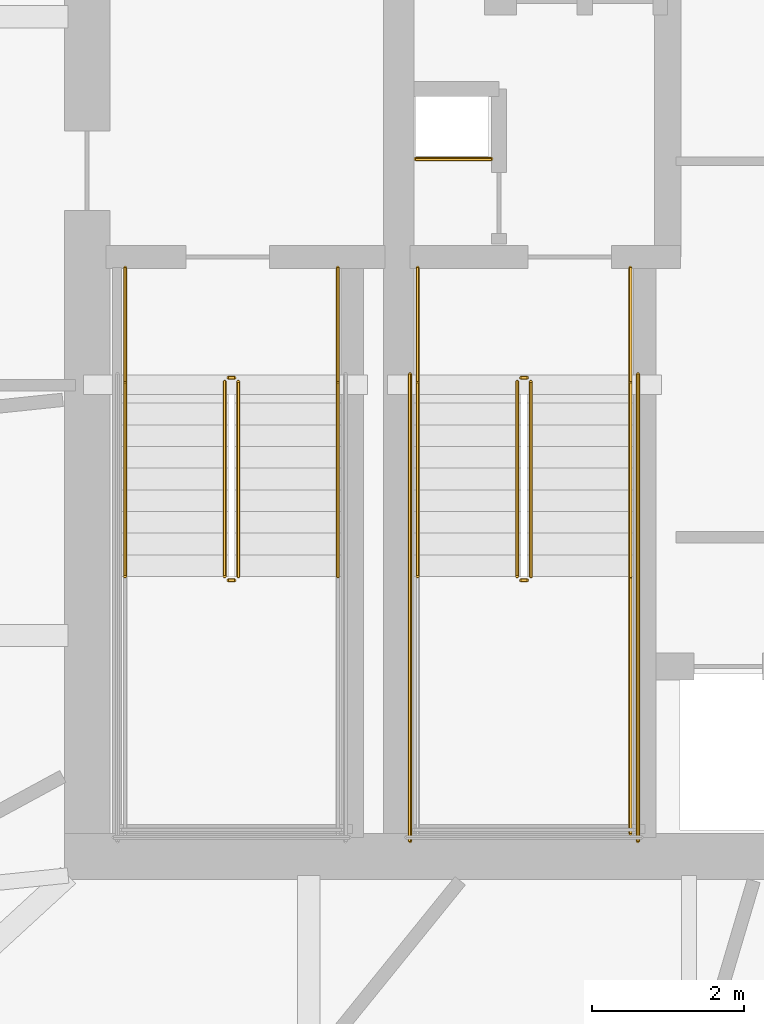
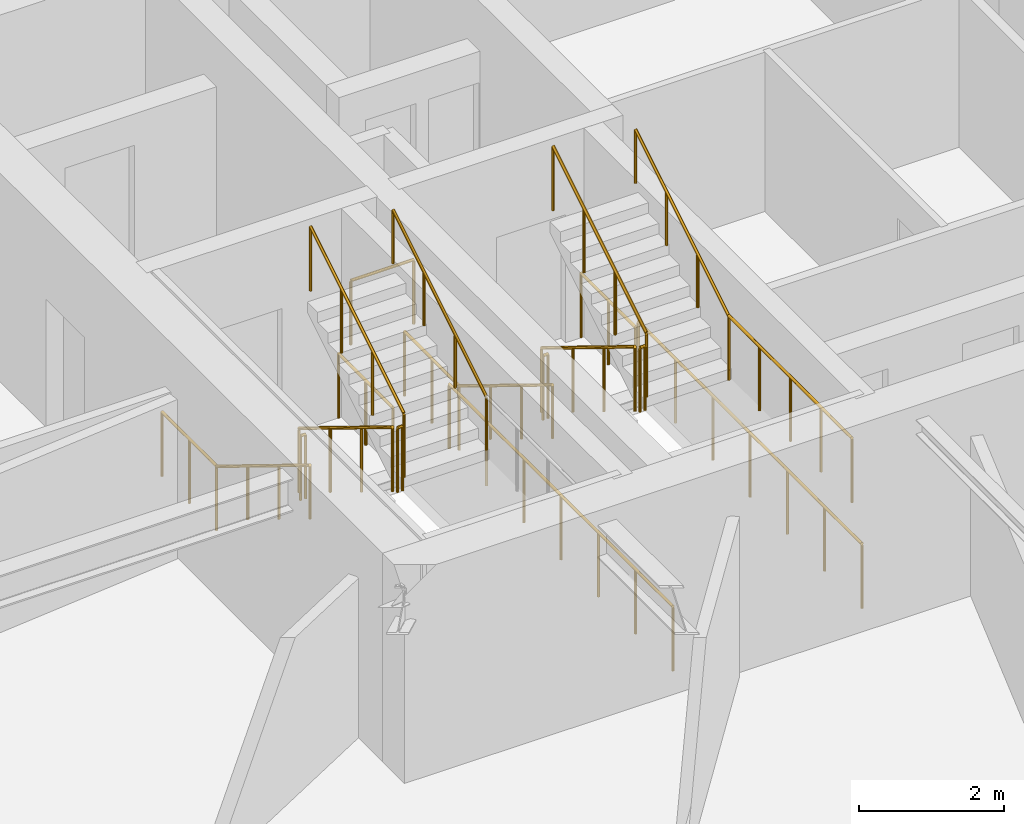
# One storey, part 24 of 26: 20 railings.
"""IFC4 building model written with IfcOpenShell, lengths in metres."""

from ifc_helpers import new_model, si_unit, direction, frame, origin, origin_2d, place, context, subcontext, project, spatial, circle, extrude, material, type_object, element, save


model = new_model("IFC4")

# Units and contexts
model_context = context("Model", 3, precision=1e-05, world=origin(), true_north=direction((0.0, 1.0)))
body_context = subcontext(model_context, "Body", "Model", "MODEL_VIEW")
ifc_project = project(units=[si_unit("LENGTHUNIT", "METRE"), si_unit("AREAUNIT", "SQUARE_METRE"), si_unit("VOLUMEUNIT", "CUBIC_METRE"), si_unit("PLANEANGLEUNIT", "RADIAN"), si_unit("MASSUNIT", "GRAM", prefix="KILO")], contexts=[model_context])

# Site, building, storey
site_placement = place(None, origin())
site = spatial("IfcSite", under=ifc_project, at=site_placement, CompositionType="ELEMENT")
building_placement = place(site_placement, origin())
building = spatial("IfcBuilding", under=site, at=building_placement, Name="Bramvorn Convention Spire", CompositionType="ELEMENT")
storey_placement = place(building_placement, frame((0.0, 0.0, 123.800048828125)))
storey = spatial("IfcBuildingStorey", under=building, at=storey_placement, Name="L30", CompositionType="ELEMENT", Elevation=123.800048828125)

# Railings
ifc_material_1 = material(Name="Painted Steel Balustrade & Guardrail", Category="steel")
railing_type_1 = type_object("IfcRailingType", Name="RL-STAIR-GUARD-1100", PredefinedType="GUARDRAIL", material=ifc_material_1)
railing_1_placement = place(storey_placement, frame((28.81005859375, 25.050048828125, 0.175048828125)))
element("IfcRailing", 1, at=railing_1_placement, inside=storey, type_object=railing_type_1, Name="L30 ST1 stair guard 1", PredefinedType="GUARDRAIL", context=body_context, shape_type="SweptSolid", body=[
    extrude(circle(Radius=0.02392578125, at=origin_2d()), frame((0.0, 0.0, 1.076171875), z_axis=(0.0, -0.852173129349, 0.523259933127), x_axis=(1.0, 0.0, 0.0)), (0.0, 0.0, 1.0), 3.009765625),
    extrude(circle(Radius=0.02099609375, at=origin_2d()), origin(), (0.0, 0.0, 1.0), 1.052001953125),
    extrude(circle(Radius=0.02099609375, at=origin_2d()), frame((0.0, -0.85498046875, 0.52490234375)), (0.0, 0.0, 1.0), 1.052001953125),
    extrude(circle(Radius=0.02099609375, at=origin_2d()), frame((0.0, -1.7099609375, 1.050048828125)), (0.0, 0.0, 1.0), 1.052001953125),
    extrude(circle(Radius=0.02099609375, at=origin_2d()), frame((0.0, -2.56494140625, 1.574951171875)), (0.0, 0.0, 1.0), 1.052001953125),
])
railing_2_placement = place(storey_placement, frame((28.860107421875, 22.43505859375, 1.75)))
element("IfcRailing", 2, at=railing_2_placement, inside=storey, type_object=railing_type_1, Name="L30 ST1 stair guard 2", PredefinedType="GUARDRAIL", context=body_context, shape_type="SweptSolid", body=[
    extrude(circle(Radius=0.02392578125, at=origin_2d()), frame((0.0, 0.0, 1.076171875), z_axis=(1.0, 0.0, 0.0), x_axis=(0.0, 1.0, 0.0)), (0.0, 0.0, 1.0), 0.079833984375),
    extrude(circle(Radius=0.02099609375, at=origin_2d()), origin(), (0.0, 0.0, 1.0), 1.052001953125),
    extrude(circle(Radius=0.02099609375, at=origin_2d()), frame((0.079833984375, 0.0, 0.0)), (0.0, 0.0, 1.0), 1.052001953125),
])
railing_3_placement = place(storey_placement, frame((28.989990234375, 22.485107421875, 1.925048828125)))
element("IfcRailing", 3, at=railing_3_placement, inside=storey, type_object=railing_type_1, Name="L30 ST1 stair guard 6", PredefinedType="GUARDRAIL", context=body_context, shape_type="SweptSolid", body=[
    extrude(circle(Radius=0.02392578125, at=origin_2d()), frame((0.0, 0.0, 1.076171875), z_axis=(0.0, 0.852173129349, 0.523259933127), x_axis=(-1.0, 0.0, 0.0)), (0.0, 0.0, 1.0), 3.009765625),
    extrude(circle(Radius=0.02099609375, at=origin_2d()), origin(), (0.0, 0.0, 1.0), 1.052001953125),
    extrude(circle(Radius=0.02099609375, at=origin_2d()), frame((0.0, 0.85498046875, 0.52490234375)), (0.0, 0.0, 1.0), 1.052001953125),
    extrude(circle(Radius=0.02099609375, at=origin_2d()), frame((0.0, 1.7099609375, 1.050048828125)), (0.0, 0.0, 1.0), 1.052001953125),
    extrude(circle(Radius=0.02099609375, at=origin_2d()), frame((0.0, 2.56494140625, 1.574951171875)), (0.0, 0.0, 1.0), 1.052001953125),
])
railing_4_placement = place(storey_placement, frame((28.860107421875, 25.10009765625, 0.0)))
element("IfcRailing", 4, at=railing_4_placement, inside=storey, type_object=railing_type_1, Name="L30 ST1 stair guard 7", PredefinedType="GUARDRAIL", context=body_context, shape_type="SweptSolid", body=[
    extrude(circle(Radius=0.02392578125, at=origin_2d()), frame((0.0, 0.0, 1.076171875), z_axis=(1.0, 0.0, 0.0), x_axis=(0.0, 1.0, 0.0)), (0.0, 0.0, 1.0), 0.079833984375),
    extrude(circle(Radius=0.02099609375, at=origin_2d()), origin(), (0.0, 0.0, 1.0), 1.052001953125),
    extrude(circle(Radius=0.02099609375, at=origin_2d()), frame((0.079833984375, 0.0, 0.0)), (0.0, 0.0, 1.0), 1.052001953125),
])
for number, where, name in (
    (5, (27.5, 26.550048828125, 0.0), "L30 ST1 stair guard 8"),
    (6, (30.300048828125, 26.550048828125, 0.0), "L30 ST1 stair guard 9"),
):
    element("IfcRailing", number, at=place(storey_placement, frame(where)), inside=storey, type_object=railing_type_1, Name=name, PredefinedType="GUARDRAIL", context=body_context, shape_type="SweptSolid", body=[
        extrude(circle(Radius=0.02392578125, at=origin_2d()), frame((0.0, 0.0, 1.076171875), z_axis=(0.0, -1.0, 0.0), x_axis=(1.0, 0.0, 0.0)), (0.0, 0.0, 1.0), 1.5),
        extrude(circle(Radius=0.02099609375, at=origin_2d()), origin(), (0.0, 0.0, 1.0), 1.052001953125),
        extrude(circle(Radius=0.02099609375, at=origin_2d()), frame((0.0, -0.75, 0.0)), (0.0, 0.0, 1.0), 1.052001953125),
        extrude(circle(Radius=0.02099609375, at=origin_2d()), frame((0.0, -1.5, 0.0)), (0.0, 0.0, 1.0), 1.052001953125),
    ])
railing_5_placement = place(storey_placement, frame((32.659912109375, 25.050048828125, 0.175048828125)))
element("IfcRailing", 7, at=railing_5_placement, inside=storey, type_object=railing_type_1, Name="L30 ST3 stair guard 1", PredefinedType="GUARDRAIL", context=body_context, shape_type="SweptSolid", body=[
    extrude(circle(Radius=0.02392578125, at=origin_2d()), frame((0.0, 0.0, 1.076171875), z_axis=(0.0, -0.852173129349, 0.523259933127), x_axis=(1.0, 0.0, 0.0)), (0.0, 0.0, 1.0), 3.009765625),
    extrude(circle(Radius=0.02099609375, at=origin_2d()), origin(), (0.0, 0.0, 1.0), 1.052001953125),
    extrude(circle(Radius=0.02099609375, at=origin_2d()), frame((0.0, -0.85498046875, 0.52490234375)), (0.0, 0.0, 1.0), 1.052001953125),
    extrude(circle(Radius=0.02099609375, at=origin_2d()), frame((0.0, -1.7099609375, 1.050048828125)), (0.0, 0.0, 1.0), 1.052001953125),
    extrude(circle(Radius=0.02099609375, at=origin_2d()), frame((0.0, -2.56494140625, 1.574951171875)), (0.0, 0.0, 1.0), 1.052001953125),
])
railing_6_placement = place(storey_placement, frame((32.7099609375, 22.43505859375, 1.75)))
element("IfcRailing", 8, at=railing_6_placement, inside=storey, type_object=railing_type_1, Name="L30 ST3 stair guard 2", PredefinedType="GUARDRAIL", context=body_context, shape_type="SweptSolid", body=[
    extrude(circle(Radius=0.02392578125, at=origin_2d()), frame((0.0, 0.0, 1.076171875), z_axis=(1.0, 0.0, 0.0), x_axis=(0.0, 1.0, 0.0)), (0.0, 0.0, 1.0), 0.080078125),
    extrude(circle(Radius=0.02099609375, at=origin_2d()), origin(), (0.0, 0.0, 1.0), 1.052001953125),
    extrude(circle(Radius=0.02099609375, at=origin_2d()), frame((0.080078125, 0.0, 0.0)), (0.0, 0.0, 1.0), 1.052001953125),
])
railing_7_placement = place(storey_placement, frame((34.14990234375, 22.485107421875, 1.75)))
element("IfcRailing", 9, at=railing_7_placement, inside=storey, type_object=railing_type_1, Name="L30 ST3 stair guard 4", PredefinedType="GUARDRAIL", context=body_context, shape_type="SweptSolid", body=[
    extrude(circle(Radius=0.02392578125, at=origin_2d()), frame((0.0, 0.0, 1.076171875), z_axis=(0.0, -1.0, 0.0), x_axis=(1.0, 0.0, 0.0)), (0.0, 0.0, 1.0), 3.385009765625),
    extrude(circle(Radius=0.02099609375, at=origin_2d()), origin(), (0.0, 0.0, 1.0), 1.052001953125),
    extrude(circle(Radius=0.02099609375, at=origin_2d()), frame((0.0, -0.84619140625, 0.0)), (0.0, 0.0, 1.0), 1.052001953125),
    extrude(circle(Radius=0.02099609375, at=origin_2d()), frame((0.0, -1.6923828125, 0.0)), (0.0, 0.0, 1.0), 1.052001953125),
    extrude(circle(Radius=0.02099609375, at=origin_2d()), frame((0.0, -2.538818359375, 0.0)), (0.0, 0.0, 1.0), 1.052001953125),
    extrude(circle(Radius=0.02099609375, at=origin_2d()), frame((0.0, -3.385009765625, 0.0)), (0.0, 0.0, 1.0), 1.052001953125),
])
railing_8_placement = place(storey_placement, frame((32.840087890625, 22.485107421875, 1.925048828125)))
element("IfcRailing", 10, at=railing_8_placement, inside=storey, type_object=railing_type_1, Name="L30 ST3 stair guard 6", PredefinedType="GUARDRAIL", context=body_context, shape_type="SweptSolid", body=[
    extrude(circle(Radius=0.02392578125, at=origin_2d()), frame((0.0, 0.0, 1.076171875), z_axis=(0.0, 0.852173129349, 0.523259933127), x_axis=(-1.0, 0.0, 0.0)), (0.0, 0.0, 1.0), 3.009765625),
    extrude(circle(Radius=0.02099609375, at=origin_2d()), origin(), (0.0, 0.0, 1.0), 1.052001953125),
    extrude(circle(Radius=0.02099609375, at=origin_2d()), frame((0.0, 0.85498046875, 0.52490234375)), (0.0, 0.0, 1.0), 1.052001953125),
    extrude(circle(Radius=0.02099609375, at=origin_2d()), frame((0.0, 1.7099609375, 1.050048828125)), (0.0, 0.0, 1.0), 1.052001953125),
    extrude(circle(Radius=0.02099609375, at=origin_2d()), frame((0.0, 2.56494140625, 1.574951171875)), (0.0, 0.0, 1.0), 1.052001953125),
])
railing_9_placement = place(storey_placement, frame((32.7099609375, 25.10009765625, 0.0)))
element("IfcRailing", 11, at=railing_9_placement, inside=storey, type_object=railing_type_1, Name="L30 ST3 stair guard 7", PredefinedType="GUARDRAIL", context=body_context, shape_type="SweptSolid", body=[
    extrude(circle(Radius=0.02392578125, at=origin_2d()), frame((0.0, 0.0, 1.076171875), z_axis=(1.0, 0.0, 0.0), x_axis=(0.0, 1.0, 0.0)), (0.0, 0.0, 1.0), 0.080078125),
    extrude(circle(Radius=0.02099609375, at=origin_2d()), origin(), (0.0, 0.0, 1.0), 1.052001953125),
    extrude(circle(Radius=0.02099609375, at=origin_2d()), frame((0.080078125, 0.0, 0.0)), (0.0, 0.0, 1.0), 1.052001953125),
])
for number, where, name in (
    (12, (31.35009765625, 26.550048828125, 0.0), "L30 ST3 stair guard 8"),
    (13, (34.14990234375, 26.550048828125, 0.0), "L30 ST3 stair guard 9"),
):
    element("IfcRailing", number, at=place(storey_placement, frame(where)), inside=storey, type_object=railing_type_1, Name=name, PredefinedType="GUARDRAIL", context=body_context, shape_type="SweptSolid", body=[
        extrude(circle(Radius=0.02392578125, at=origin_2d()), frame((0.0, 0.0, 1.076171875), z_axis=(0.0, -1.0, 0.0), x_axis=(1.0, 0.0, 0.0)), (0.0, 0.0, 1.0), 1.5),
        extrude(circle(Radius=0.02099609375, at=origin_2d()), origin(), (0.0, 0.0, 1.0), 1.052001953125),
        extrude(circle(Radius=0.02099609375, at=origin_2d()), frame((0.0, -0.75, 0.0)), (0.0, 0.0, 1.0), 1.052001953125),
        extrude(circle(Radius=0.02099609375, at=origin_2d()), frame((0.0, -1.5, 0.0)), (0.0, 0.0, 1.0), 1.052001953125),
    ])
for number, where, name in (
    (14, (31.25, 25.14990234375, 0.0), "L30 ST3 stair guard 10"),
    (15, (34.25, 25.14990234375, 0.0), "L30 ST3 stair guard 11"),
):
    element("IfcRailing", number, at=place(storey_placement, frame(where)), inside=storey, type_object=railing_type_1, Name=name, PredefinedType="GUARDRAIL", context=body_context, shape_type="SweptSolid", body=[
        extrude(circle(Radius=0.02392578125, at=origin_2d()), frame((0.0, 0.0, 1.076171875), z_axis=(0.0, -1.0, 0.0), x_axis=(1.0, 0.0, 0.0)), (0.0, 0.0, 1.0), 6.14990234375),
        extrude(circle(Radius=0.02099609375, at=origin_2d()), origin(), (0.0, 0.0, 1.0), 1.052001953125),
        extrude(circle(Radius=0.02099609375, at=origin_2d()), frame((0.0, -1.02490234375, 0.0)), (0.0, 0.0, 1.0), 1.052001953125),
        extrude(circle(Radius=0.02099609375, at=origin_2d()), frame((0.0, -2.050048828125, 0.0)), (0.0, 0.0, 1.0), 1.052001953125),
        extrude(circle(Radius=0.02099609375, at=origin_2d()), frame((0.0, -3.074951171875, 0.0)), (0.0, 0.0, 1.0), 1.052001953125),
        extrude(circle(Radius=0.02099609375, at=origin_2d()), frame((0.0, -4.099853515625, 0.0)), (0.0, 0.0, 1.0), 1.052001953125),
        extrude(circle(Radius=0.02099609375, at=origin_2d()), frame((0.0, -5.125, 0.0)), (0.0, 0.0, 1.0), 1.052001953125),
        extrude(circle(Radius=0.02099609375, at=origin_2d()), frame((0.0, -6.14990234375, 0.0)), (0.0, 0.0, 1.0), 1.052001953125),
    ])
railing_10_placement = place(storey_placement, frame((31.320068359375, 27.97998046875, 0.0)))
element("IfcRailing", 16, at=railing_10_placement, inside=storey, type_object=railing_type_1, Name="L30 Telecom riser shaft opening safety guardrail", PredefinedType="GUARDRAIL", context=body_context, shape_type="SweptSolid", body=[
    extrude(circle(Radius=0.02392578125, at=origin_2d()), frame((0.0, 0.0, 1.076171875), z_axis=(1.0, 0.0, 0.0), x_axis=(0.0, 1.0, 0.0)), (0.0, 0.0, 1.0), 1.0),
    extrude(circle(Radius=0.02099609375, at=origin_2d()), origin(), (0.0, 0.0, 1.0), 1.052001953125),
    extrude(circle(Radius=0.02099609375, at=origin_2d()), frame((1.0, 0.0, 0.0)), (0.0, 0.0, 1.0), 1.052001953125),
])
ifc_material_2 = material(Name="Brushed Bronze Tubular Handrail", Category="aluminium")
railing_type_2 = type_object("IfcRailingType", Name="RL-STAIR-HR-920", PredefinedType="HANDRAIL", material=ifc_material_2)
railing_11_placement = place(storey_placement, frame((27.5, 25.050048828125, 0.175048828125)))
element("IfcRailing", 17, at=railing_11_placement, inside=storey, type_object=railing_type_2, Name="L30 ST1 stair handrail 1", PredefinedType="HANDRAIL", context=body_context, shape_type="SweptSolid", body=[
    extrude(circle(Radius=0.02392578125, at=origin_2d()), frame((0.0, 0.0, 0.89599609375), z_axis=(0.0, -0.852173129349, 0.523259933127), x_axis=(1.0, 0.0, 0.0)), (0.0, 0.0, 1.0), 3.009765625),
    extrude(circle(Radius=0.02099609375, at=origin_2d()), origin(), (0.0, 0.0, 1.0), 0.871826171875),
    extrude(circle(Radius=0.02099609375, at=origin_2d()), frame((0.0, -0.85498046875, 0.52490234375)), (0.0, 0.0, 1.0), 0.871826171875),
    extrude(circle(Radius=0.02099609375, at=origin_2d()), frame((0.0, -1.7099609375, 1.050048828125)), (0.0, 0.0, 1.0), 0.871826171875),
    extrude(circle(Radius=0.02099609375, at=origin_2d()), frame((0.0, -2.56494140625, 1.574951171875)), (0.0, 0.0, 1.0), 0.871826171875),
])
railing_12_placement = place(storey_placement, frame((30.300048828125, 22.485107421875, 1.925048828125)))
element("IfcRailing", 18, at=railing_12_placement, inside=storey, type_object=railing_type_2, Name="L30 ST1 stair handrail 2", PredefinedType="HANDRAIL", context=body_context, shape_type="SweptSolid", body=[
    extrude(circle(Radius=0.02392578125, at=origin_2d()), frame((0.0, 0.0, 0.89599609375), z_axis=(0.0, 0.852173129349, 0.523259933127), x_axis=(-1.0, 0.0, 0.0)), (0.0, 0.0, 1.0), 3.009765625),
    extrude(circle(Radius=0.02099609375, at=origin_2d()), origin(), (0.0, 0.0, 1.0), 0.871826171875),
    extrude(circle(Radius=0.02099609375, at=origin_2d()), frame((0.0, 0.85498046875, 0.52490234375)), (0.0, 0.0, 1.0), 0.871826171875),
    extrude(circle(Radius=0.02099609375, at=origin_2d()), frame((0.0, 1.7099609375, 1.050048828125)), (0.0, 0.0, 1.0), 0.871826171875),
    extrude(circle(Radius=0.02099609375, at=origin_2d()), frame((0.0, 2.56494140625, 1.574951171875)), (0.0, 0.0, 1.0), 0.871826171875),
])
railing_13_placement = place(storey_placement, frame((31.35009765625, 25.050048828125, 0.175048828125)))
element("IfcRailing", 19, at=railing_13_placement, inside=storey, type_object=railing_type_2, Name="L30 ST3 stair handrail 1", PredefinedType="HANDRAIL", context=body_context, shape_type="SweptSolid", body=[
    extrude(circle(Radius=0.02392578125, at=origin_2d()), frame((0.0, 0.0, 0.89599609375), z_axis=(0.0, -0.852173129349, 0.523259933127), x_axis=(1.0, 0.0, 0.0)), (0.0, 0.0, 1.0), 3.009765625),
    extrude(circle(Radius=0.02099609375, at=origin_2d()), origin(), (0.0, 0.0, 1.0), 0.871826171875),
    extrude(circle(Radius=0.02099609375, at=origin_2d()), frame((0.0, -0.85498046875, 0.52490234375)), (0.0, 0.0, 1.0), 0.871826171875),
    extrude(circle(Radius=0.02099609375, at=origin_2d()), frame((0.0, -1.7099609375, 1.050048828125)), (0.0, 0.0, 1.0), 0.871826171875),
    extrude(circle(Radius=0.02099609375, at=origin_2d()), frame((0.0, -2.56494140625, 1.574951171875)), (0.0, 0.0, 1.0), 0.871826171875),
])
railing_14_placement = place(storey_placement, frame((34.14990234375, 22.485107421875, 1.925048828125)))
element("IfcRailing", 20, at=railing_14_placement, inside=storey, type_object=railing_type_2, Name="L30 ST3 stair handrail 2", PredefinedType="HANDRAIL", context=body_context, shape_type="SweptSolid", body=[
    extrude(circle(Radius=0.02392578125, at=origin_2d()), frame((0.0, 0.0, 0.89599609375), z_axis=(0.0, 0.852173129349, 0.523259933127), x_axis=(-1.0, 0.0, 0.0)), (0.0, 0.0, 1.0), 3.009765625),
    extrude(circle(Radius=0.02099609375, at=origin_2d()), origin(), (0.0, 0.0, 1.0), 0.871826171875),
    extrude(circle(Radius=0.02099609375, at=origin_2d()), frame((0.0, 0.85498046875, 0.52490234375)), (0.0, 0.0, 1.0), 0.871826171875),
    extrude(circle(Radius=0.02099609375, at=origin_2d()), frame((0.0, 1.7099609375, 1.050048828125)), (0.0, 0.0, 1.0), 0.871826171875),
    extrude(circle(Radius=0.02099609375, at=origin_2d()), frame((0.0, 2.56494140625, 1.574951171875)), (0.0, 0.0, 1.0), 0.871826171875),
])

save(model, "model.ifc")
